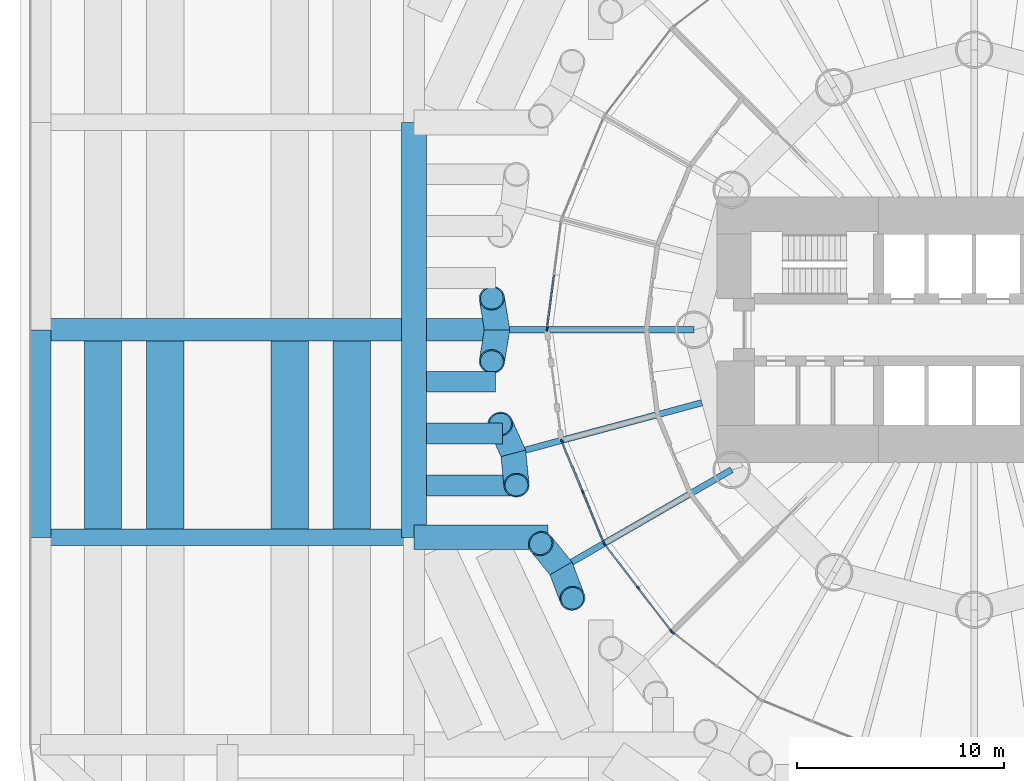
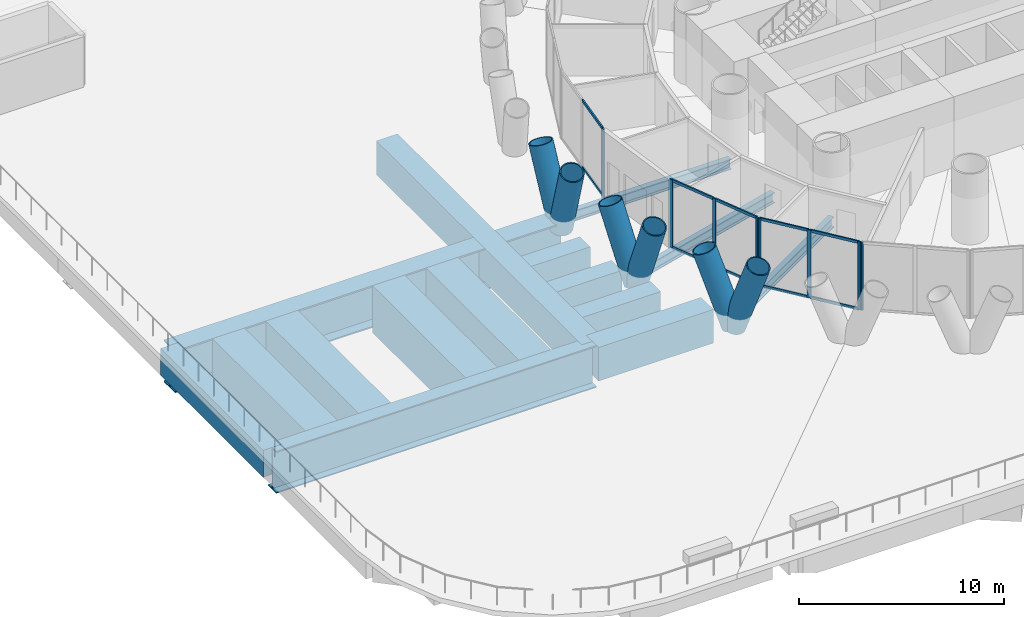
# One storey, part 2 of 19: 24 members, 15 beams, 4 elements without a shape of their own.
"""IFC4 building model written with IfcOpenShell, lengths in metres."""

from ifc_helpers import new_model, si_unit, direction, frame, origin, origin_2d, place, context, subcontext, project, spatial, rectangle, hollow_circle, i_section, extrude, material, material_profile, profile_set, type_object, element, aggregate, save


model = new_model("IFC4")

# Units and contexts
model_context = context("Model", 3, precision=1e-05, world=origin(), true_north=direction((0.0, 1.0)))
body_context = subcontext(model_context, "Body", "Model", "MODEL_VIEW")
ifc_project = project(units=[si_unit("LENGTHUNIT", "METRE"), si_unit("AREAUNIT", "SQUARE_METRE"), si_unit("VOLUMEUNIT", "CUBIC_METRE"), si_unit("PLANEANGLEUNIT", "RADIAN"), si_unit("MASSUNIT", "GRAM", prefix="KILO")], contexts=[model_context])

# Site, building, storey
site_placement = place(None, origin())
site = spatial("IfcSite", under=ifc_project, at=site_placement, CompositionType="ELEMENT")
building_placement = place(site_placement, origin())
building = spatial("IfcBuilding", under=site, at=building_placement, Name="Qaws Media Tower", CompositionType="ELEMENT")
storey_placement = place(building_placement, frame((0.0, 0.0, 26.0)))
storey = spatial("IfcBuildingStorey", under=building, at=storey_placement, Name="L04", CompositionType="ELEMENT", Elevation=26.0)

# Curtain wall, member
ifc_material_1 = material(Name="Aluminium and clear glass", Category="aluminium")
curtain_wall_type = type_object("IfcCurtainWallType", Name="Unitised curtain wall CW-A", PredefinedType="NOTDEFINED", material=ifc_material_1)
curtain_wall_1_placement = place(storey_placement, origin())
curtain_wall_1 = element("IfcCurtainWall", 1, at=curtain_wall_1_placement, inside=storey, type_object=curtain_wall_type, Name="CWA curtain wall L04-12", PredefinedType="NOTDEFINED")
ifc_material_2 = material(Name="Aluminium mullion", Category="aluminium")
ifc_material_profile_1 = material_profile(ifc_material_2, rectangle(XDim=0.080078125, YDim=0.199951171875, at=origin_2d()), Name="80x200")
ifc_profile_set_1 = profile_set([ifc_material_profile_1], Name="Aluminium mullion")
member_type_1 = type_object("IfcMemberType", Name="Curtain wall mullion 80x200", PredefinedType="MULLION", material=ifc_profile_set_1)
member_1_placement = place(storey_placement, frame((39.4052734375, 50.03955078125, 0.0), z_axis=(0.0, 0.0, 1.0), x_axis=(0.991444859813, -0.130526204073, 0.0)))
member_1 = element("IfcMember", 2, at=member_1_placement, type_object=member_type_1, Name="CWA mullion 3", PredefinedType="MULLION", context=body_context, shape_type="SweptSolid", body=[
    extrude(rectangle(XDim=0.080078125, YDim=0.199951171875, at=origin_2d()), origin(), (0.0, 0.0, 1.0), 4.0400390625),
])

# Curtain wall, members
curtain_wall_2_placement = place(storey_placement, origin())
curtain_wall_2 = element("IfcCurtainWall", 3, at=curtain_wall_2_placement, inside=storey, type_object=curtain_wall_type, Name="CWA curtain wall L04-14", PredefinedType="NOTDEFINED")
member_2_placement = place(storey_placement, frame((40.1171875, 44.63134765625, 0.0), z_axis=(0.0, 0.0, 1.0), x_axis=(0.923879521985, 0.382683457778, 0.0)))
member_2 = element("IfcMember", 4, at=member_2_placement, type_object=member_type_1, Name="CWA mullion 1", PredefinedType="MULLION", context=body_context, shape_type="SweptSolid", body=[
    extrude(rectangle(XDim=0.080078125, YDim=0.199951171875, at=origin_2d()), origin(), (0.0, 0.0, 1.0), 4.0400390625),
])
member_3_placement = place(storey_placement, frame((41.130859375, 42.18408203125, 0.0), z_axis=(0.0, 0.0, 1.0), x_axis=(0.923879521985, 0.382683457778, 0.0)))
member_3 = element("IfcMember", 5, at=member_3_placement, type_object=member_type_1, Name="CWA mullion 2", PredefinedType="MULLION", context=body_context, shape_type="SweptSolid", body=[
    extrude(rectangle(XDim=0.080078125, YDim=0.199951171875, at=origin_2d()), origin(), (0.0, 0.0, 1.0), 4.0400390625),
])
member_4_placement = place(storey_placement, frame((42.14453125, 39.737060546875, 0.0), z_axis=(0.0, 0.0, 1.0), x_axis=(0.923879521985, 0.382683457778, 0.0)))
member_4 = element("IfcMember", 6, at=member_4_placement, type_object=member_type_1, Name="CWA mullion 3", PredefinedType="MULLION", context=body_context, shape_type="SweptSolid", body=[
    extrude(rectangle(XDim=0.080078125, YDim=0.199951171875, at=origin_2d()), origin(), (0.0, 0.0, 1.0), 4.0400390625),
])

curtain_wall_3_placement = place(storey_placement, origin())
curtain_wall_3 = element("IfcCurtainWall", 7, at=curtain_wall_3_placement, inside=storey, type_object=curtain_wall_type, Name="CWA curtain wall L04-15", PredefinedType="NOTDEFINED")
member_5_placement = place(storey_placement, frame((42.184326171875, 39.668212890625, 0.0), z_axis=(0.0, 0.0, 1.0), x_axis=(0.793353417662, 0.608761328178, 0.0)))
member_5 = element("IfcMember", 8, at=member_5_placement, type_object=member_type_1, Name="CWA mullion 1", PredefinedType="MULLION", context=body_context, shape_type="SweptSolid", body=[
    extrude(rectangle(XDim=0.080078125, YDim=0.199951171875, at=origin_2d()), origin(), (0.0, 0.0, 1.0), 4.0400390625),
])
member_6_placement = place(storey_placement, frame((43.796630859375, 37.56689453125, 0.0), z_axis=(0.0, 0.0, 1.0), x_axis=(0.793353417662, 0.608761328178, 0.0)))
member_6 = element("IfcMember", 9, at=member_6_placement, type_object=member_type_1, Name="CWA mullion 2", PredefinedType="MULLION", context=body_context, shape_type="SweptSolid", body=[
    extrude(rectangle(XDim=0.080078125, YDim=0.199951171875, at=origin_2d()), origin(), (0.0, 0.0, 1.0), 4.0400390625),
])
member_7_placement = place(storey_placement, frame((45.4091796875, 35.46533203125, 0.0), z_axis=(0.0, 0.0, 1.0), x_axis=(0.793353417662, 0.608761328178, 0.0)))
member_7 = element("IfcMember", 10, at=member_7_placement, type_object=member_type_1, Name="CWA mullion 3", PredefinedType="MULLION", context=body_context, shape_type="SweptSolid", body=[
    extrude(rectangle(XDim=0.080078125, YDim=0.199951171875, at=origin_2d()), origin(), (0.0, 0.0, 1.0), 4.0400390625),
])

# Curtain wall, member
curtain_wall_4_placement = place(storey_placement, origin())
curtain_wall_4 = element("IfcCurtainWall", 11, at=curtain_wall_4_placement, inside=storey, type_object=curtain_wall_type, Name="CWA curtain wall L04-16", PredefinedType="NOTDEFINED")
member_8_placement = place(storey_placement, frame((45.46533203125, 35.4091796875, 0.0), z_axis=(0.0, 0.0, 1.0), x_axis=(0.608761328178, 0.793353417662, 0.0)))
member_8 = element("IfcMember", 12, at=member_8_placement, type_object=member_type_1, Name="CWA mullion 1", PredefinedType="MULLION", context=body_context, shape_type="SweptSolid", body=[
    extrude(rectangle(XDim=0.080078125, YDim=0.199951171875, at=origin_2d()), origin(), (0.0, 0.0, 1.0), 4.0400390625),
])
aggregate(curtain_wall_4, [member_8])

# Member
ifc_material_3 = material(Name="Aluminium transom", Category="aluminium")
ifc_material_profile_2 = material_profile(ifc_material_3, rectangle(XDim=0.080078125, YDim=0.159912109375, at=origin_2d()), Name="80x160")
ifc_profile_set_2 = profile_set([ifc_material_profile_2], Name="Aluminium transom")
member_type_2 = type_object("IfcMemberType", Name="Curtain wall transom 80x160", PredefinedType="USERDEFINED", material=ifc_profile_set_2)
member_9_placement = place(storey_placement, frame((39.745849609375, 52.626220703125, 0.0400390625), z_axis=(-0.130582350348, -0.991437466398, 0.0), x_axis=(0.991437466398, -0.130582350348, 0.0)))
member_9 = element("IfcMember", 13, at=member_9_placement, type_object=member_type_2, Name="CWA transom 2.1", ObjectType="TRANSOM", PredefinedType="USERDEFINED", context=body_context, shape_type="SweptSolid", body=[
    extrude(rectangle(XDim=0.080078125, YDim=0.159912109375, at=origin_2d()), origin(), (0.0, 0.0, 1.0), 2.56884765625),
])

member_10_placement = place(storey_placement, frame((39.745849609375, 52.626220703125, 4.0), z_axis=(-0.130582350348, -0.991437466398, 0.0), x_axis=(0.991437466398, -0.130582350348, 0.0)))
member_10 = element("IfcMember", 14, at=member_10_placement, type_object=member_type_2, Name="CWA transom 2.2", ObjectType="TRANSOM", PredefinedType="USERDEFINED", context=body_context, shape_type="SweptSolid", body=[
    extrude(rectangle(XDim=0.080078125, YDim=0.159912109375, at=origin_2d()), origin(), (0.0, 0.0, 1.0), 2.56884765625),
])

aggregate(curtain_wall_1, [member_1, member_9, member_10])

member_11_placement = place(storey_placement, frame((40.132568359375, 44.594482421875, 0.0400390625), z_axis=(0.382637188535, -0.923898685977, 0.0), x_axis=(0.923898685977, 0.382637188535, 0.0)))
member_11 = element("IfcMember", 15, at=member_11_placement, type_object=member_type_2, Name="CWA transom 1.1", ObjectType="TRANSOM", PredefinedType="USERDEFINED", context=body_context, shape_type="SweptSolid", body=[
    extrude(rectangle(XDim=0.080078125, YDim=0.159912109375, at=origin_2d()), origin(), (0.0, 0.0, 1.0), 2.56884765625),
])

member_12_placement = place(storey_placement, frame((40.132568359375, 44.594482421875, 4.0), z_axis=(0.382637188535, -0.923898685977, 0.0), x_axis=(0.923898685977, 0.382637188535, 0.0)))
member_12 = element("IfcMember", 16, at=member_12_placement, type_object=member_type_2, Name="CWA transom 1.2", ObjectType="TRANSOM", PredefinedType="USERDEFINED", context=body_context, shape_type="SweptSolid", body=[
    extrude(rectangle(XDim=0.080078125, YDim=0.159912109375, at=origin_2d()), origin(), (0.0, 0.0, 1.0), 2.56884765625),
])

member_13_placement = place(storey_placement, frame((41.146240234375, 42.147216796875, 0.0400390625), z_axis=(0.382637188535, -0.923898685977, 0.0), x_axis=(0.923898685977, 0.382637188535, 0.0)))
member_13 = element("IfcMember", 17, at=member_13_placement, type_object=member_type_2, Name="CWA transom 2.1", ObjectType="TRANSOM", PredefinedType="USERDEFINED", context=body_context, shape_type="SweptSolid", body=[
    extrude(rectangle(XDim=0.080078125, YDim=0.159912109375, at=origin_2d()), origin(), (0.0, 0.0, 1.0), 2.56884765625),
])

member_14_placement = place(storey_placement, frame((41.146240234375, 42.147216796875, 4.0), z_axis=(0.382637188535, -0.923898685977, 0.0), x_axis=(0.923898685977, 0.382637188535, 0.0)))
member_14 = element("IfcMember", 18, at=member_14_placement, type_object=member_type_2, Name="CWA transom 2.2", ObjectType="TRANSOM", PredefinedType="USERDEFINED", context=body_context, shape_type="SweptSolid", body=[
    extrude(rectangle(XDim=0.080078125, YDim=0.159912109375, at=origin_2d()), origin(), (0.0, 0.0, 1.0), 2.56884765625),
])

aggregate(curtain_wall_2, [member_2, member_3, member_4, member_11, member_12, member_13, member_14])

member_15_placement = place(storey_placement, frame((42.20849609375, 39.636474609375, 0.0400390625), z_axis=(0.608828522039, -0.793301853491, 0.0), x_axis=(0.793301853491, 0.608828522039, 0.0)))
member_15 = element("IfcMember", 19, at=member_15_placement, type_object=member_type_2, Name="CWA transom 1.1", ObjectType="TRANSOM", PredefinedType="USERDEFINED", context=body_context, shape_type="SweptSolid", body=[
    extrude(rectangle(XDim=0.080078125, YDim=0.159912109375, at=origin_2d()), origin(), (0.0, 0.0, 1.0), 2.56884765625),
])

member_16_placement = place(storey_placement, frame((42.20849609375, 39.636474609375, 4.0), z_axis=(0.608828522039, -0.793301853491, 0.0), x_axis=(0.793301853491, 0.608828522039, 0.0)))
member_16 = element("IfcMember", 20, at=member_16_placement, type_object=member_type_2, Name="CWA transom 1.2", ObjectType="TRANSOM", PredefinedType="USERDEFINED", context=body_context, shape_type="SweptSolid", body=[
    extrude(rectangle(XDim=0.080078125, YDim=0.159912109375, at=origin_2d()), origin(), (0.0, 0.0, 1.0), 2.56884765625),
])

member_17_placement = place(storey_placement, frame((43.821044921875, 37.53515625, 0.0400390625), z_axis=(0.608782621434, -0.793337078322, 0.0), x_axis=(0.793337078322, 0.608782621434, 0.0)))
member_17 = element("IfcMember", 21, at=member_17_placement, type_object=member_type_2, Name="CWA transom 2.1", ObjectType="TRANSOM", PredefinedType="USERDEFINED", context=body_context, shape_type="SweptSolid", body=[
    extrude(rectangle(XDim=0.080078125, YDim=0.159912109375, at=origin_2d()), origin(), (0.0, 0.0, 1.0), 2.569091796875),
])

member_18_placement = place(storey_placement, frame((43.821044921875, 37.53515625, 4.0), z_axis=(0.608782621434, -0.793337078322, 0.0), x_axis=(0.793337078322, 0.608782621434, 0.0)))
member_18 = element("IfcMember", 22, at=member_18_placement, type_object=member_type_2, Name="CWA transom 2.2", ObjectType="TRANSOM", PredefinedType="USERDEFINED", context=body_context, shape_type="SweptSolid", body=[
    extrude(rectangle(XDim=0.080078125, YDim=0.159912109375, at=origin_2d()), origin(), (0.0, 0.0, 1.0), 2.569091796875),
])

aggregate(curtain_wall_3, [member_5, member_6, member_7, member_15, member_16, member_17, member_18])

# Members
ifc_material_4 = material(Name="Steel S460", Category="steel")
ifc_material_profile_3 = material_profile(ifc_material_4, hollow_circle(Radius=0.609619140625, WallThickness=0.06005859375, at=origin_2d()), Name="CHS 1219x60")
ifc_profile_set_3 = profile_set([ifc_material_profile_3], Name="Steel S460")
member_type_3 = type_object("IfcMemberType", Name="Diagrid member CHS 1219x60", PredefinedType="USERDEFINED", material=ifc_profile_set_3)
for number, where, z_axis, x_axis, name in (
    (23, (37.0, 50.0, -0.909912109375), (-0.055867575283, -0.340552153241, 0.938564353124), (0.986809454088, -0.161886075134, 0.0), "DG1 diagrid L04 A13"),
    (24, (37.0, 50.0, -0.909912109375), (-0.055867575283, 0.340552153241, 0.938564353124), (-0.986809454088, -0.161886075134, 0.0), "DG1 diagrid L04 B13"),
    (25, (37.78369140625, 44.047119140625, -0.909912109375), (0.034153665458, -0.343391645998, 0.938571097251), (0.99509027013, 0.098971482221, 0.0), "DG1 diagrid L04 A14"),
    (26, (37.78369140625, 44.047119140625, -0.909912109375), (-0.142124356415, 0.314474007821, 0.938566335279), (-0.911257699186, -0.411836624979, 0.0), "DG1 diagrid L04 B14"),
    (27, (40.081298828125, 38.5, -0.909912109375), (0.121882547389, -0.322874178804, 0.938561084482), (0.935560331007, 0.353166911029, 0.0), "DG1 diagrid L04 A15"),
    (28, (40.081298828125, 38.5, -0.909912109375), (-0.218671012683, 0.266955405454, 0.93857221337), (-0.77359792083, -0.633676776351, 0.0), "DG1 diagrid L04 B15"),
):
    element("IfcMember", number, at=place(storey_placement, frame(where, z_axis=z_axis, x_axis=x_axis)), inside=storey, type_object=member_type_3, Name=name, ObjectType="DIAGRID", PredefinedType="USERDEFINED", context=body_context, shape_type="SweptSolid", body=[
        extrude(hollow_circle(Radius=0.609619140625, WallThickness=0.06005859375, at=origin_2d()), origin(), (0.0, 0.0, 1.0), 4.474853515625),
    ])

# Beams
ifc_material_5 = material(Name="Concrete C60/75", Category="concrete")
ifc_material_profile_4 = material_profile(ifc_material_5, rectangle(XDim=1.199951171875, YDim=2.0, at=origin_2d()), Name="RC 1200x2000")
ifc_profile_set_4 = profile_set([ifc_material_profile_4], Name="Concrete C60/75")
beam_type_1 = type_object("IfcBeamType", Name="Podium long trimmer beam RC 1200x2000", PredefinedType="BEAM", material=ifc_profile_set_4)
beam_1_placement = place(storey_placement, frame((33.0, 40.0, -1.300048828125), z_axis=(0.0, 1.0, 0.0), x_axis=(-1.0, 0.0, 0.0)))
element("IfcBeam", 29, at=beam_1_placement, inside=storey, type_object=beam_type_1, Name="PB11 beam 3/C-3/E", PredefinedType="BEAM", context=body_context, shape_type="SweptSolid", body=[
    extrude(rectangle(XDim=1.199951171875, YDim=2.0, at=origin_2d()), origin(), (0.0, 0.0, 1.0), 20.0),
])
ifc_material_6 = material(Name="Concrete C60/75", Category="concrete")
ifc_material_profile_5 = material_profile(ifc_material_6, rectangle(XDim=1.0, YDim=1.60009765625, at=origin_2d()), Name="RC 1000x1600")
ifc_profile_set_5 = profile_set([ifc_material_profile_5], Name="Concrete C60/75")
beam_type_2 = type_object("IfcBeamType", Name="Podium roof girder RC 1000x1600", PredefinedType="BEAM", material=ifc_profile_set_5)
beam_2_placement = place(storey_placement, frame((15.0, 40.0, -1.10009765625), z_axis=(0.0, 1.0, 0.0), x_axis=(-1.0, 0.0, 0.0)))
element("IfcBeam", 30, at=beam_2_placement, inside=storey, type_object=beam_type_2, Name="PB10 beam 1/C-D", PredefinedType="BEAM", context=body_context, shape_type="SweptSolid", body=[
    extrude(rectangle(XDim=1.0, YDim=1.60009765625, at=origin_2d()), origin(), (0.0, 0.0, 1.0), 10.0),
])
ifc_material_7 = material(Name="Concrete C60/75", Category="concrete")
ifc_material_profile_6 = material_profile(ifc_material_7, rectangle(XDim=1.0, YDim=1.60009765625, at=origin_2d()), Name="RC 1000x1600")
ifc_profile_set_6 = profile_set([ifc_material_profile_6], Name="Concrete C60/75")
beam_type_3 = type_object("IfcBeamType", Name="Podium roof ring secondary beam RC 1000x1600", PredefinedType="BEAM", material=ifc_profile_set_6)
beam_3_placement = place(storey_placement, frame((33.60009765625, 42.5, -1.10009765625), z_axis=(1.0, 0.0, 0.0), x_axis=(0.0, 1.0, 0.0)))
element("IfcBeam", 31, at=beam_3_placement, inside=storey, type_object=beam_type_3, Name="PB13 beam bay 3C line 1", PredefinedType="BEAM", context=body_context, shape_type="SweptSolid", body=[
    extrude(rectangle(XDim=1.0, YDim=1.60009765625, at=origin_2d()), origin(), (0.0, 0.0, 1.0), 4.3916015625),
])
beam_4_placement = place(storey_placement, frame((33.60009765625, 45.0, -1.10009765625), z_axis=(1.0, 0.0, 0.0), x_axis=(0.0, 1.0, 0.0)))
element("IfcBeam", 32, at=beam_4_placement, inside=storey, type_object=beam_type_3, Name="PB13 beam bay 3C line 2", PredefinedType="BEAM", context=body_context, shape_type="SweptSolid", body=[
    extrude(rectangle(XDim=1.0, YDim=1.60009765625, at=origin_2d()), origin(), (0.0, 0.0, 1.0), 3.65478515625),
])
beam_5_placement = place(storey_placement, frame((33.60009765625, 47.5, -1.10009765625), z_axis=(1.0, 0.0, 0.0), x_axis=(0.0, 1.0, 0.0)))
element("IfcBeam", 33, at=beam_5_placement, inside=storey, type_object=beam_type_3, Name="PB13 beam bay 3C line 3", PredefinedType="BEAM", context=body_context, shape_type="SweptSolid", body=[
    extrude(rectangle(XDim=1.0, YDim=1.60009765625, at=origin_2d()), origin(), (0.0, 0.0, 1.0), 3.32568359375),
])
ifc_material_8 = material(Name="Concrete C60/75", Category="concrete")
ifc_material_profile_7 = material_profile(ifc_material_8, rectangle(XDim=1.800048828125, YDim=2.800048828125, at=origin_2d()), Name="RC 1800x2800")
ifc_profile_set_7 = profile_set([ifc_material_profile_7], Name="Concrete C60/75")
beam_type_4 = type_object("IfcBeamType", Name="Podium roof secondary beam RC 1800x2800", PredefinedType="BEAM", material=ifc_profile_set_7)
for number, where, z_axis, x_axis, name in (
    (34, (21.0, 40.39990234375, -1.699951171875), (0.0, 1.0, 0.0), (-1.0, 0.0, 0.0), "PB8 beam bay 1C line 1"),
    (35, (18.0, 40.39990234375, -1.699951171875), (0.0, 1.0, 0.0), (-1.0, 0.0, 0.0), "PB8 beam bay 1C line 2"),
    (36, (30.0, 40.39990234375, -1.699951171875), (0.0, 1.0, 0.0), (-1.0, 0.0, 0.0), "PB8 beam bay 2C line 1"),
    (37, (27.0, 40.39990234375, -1.699951171875), (0.0, 1.0, 0.0), (-1.0, 0.0, 0.0), "PB8 beam bay 2C line 2"),
):
    element("IfcBeam", number, at=place(storey_placement, frame(where, z_axis=z_axis, x_axis=x_axis)), inside=storey, type_object=beam_type_4, Name=name, PredefinedType="BEAM", context=body_context, shape_type="SweptSolid", body=[
        extrude(rectangle(XDim=1.800048828125, YDim=2.800048828125, at=origin_2d()), origin(), (0.0, 0.0, 1.0), 9.050048828125),
    ])
ifc_material_9 = material(Name="Concrete C60/75", Category="concrete")
ifc_material_profile_8 = material_profile(ifc_material_9, rectangle(XDim=1.199951171875, YDim=2.0, at=origin_2d()), Name="RC 1200x2000")
ifc_profile_set_8 = profile_set([ifc_material_profile_8], Name="Concrete C60/75")
beam_type_5 = type_object("IfcBeamType", Name="Podium trimmer beam RC 1200x2000", PredefinedType="BEAM", material=ifc_profile_set_8)
beam_6_placement = place(storey_placement, frame((33.0, 40.0, -1.300048828125), z_axis=(1.0, 0.0, 0.0), x_axis=(0.0, 1.0, 0.0)))
element("IfcBeam", 38, at=beam_6_placement, inside=storey, type_object=beam_type_5, Name="PB4 beam 3/C to the tower ring", PredefinedType="BEAM", context=body_context, shape_type="SweptSolid", body=[
    extrude(rectangle(XDim=1.199951171875, YDim=2.0, at=origin_2d()), origin(), (0.0, 0.0, 1.0), 6.460205078125),
])
ifc_material_10 = material(Name="Steel S355", Category="steel")
ifc_material_profile_9 = material_profile(ifc_material_10, i_section(OverallWidth=0.304931640625, OverallDepth=0.6201171875, WebThickness=0.02099609375, FlangeThickness=0.0400390625, FilletRadius=0.027099609375, at=origin_2d()), Name="HE 600 M")
ifc_profile_set_9 = profile_set([ifc_material_profile_9], Name="Steel S355")
beam_type_6 = type_object("IfcBeamType", Name="Radial beam HE 600 M", PredefinedType="BEAM", material=ifc_profile_set_9)
beam_7_placement = place(storey_placement, frame((46.5, 50.0, -0.469970703125), z_axis=(-1.0, 0.0, 0.0), x_axis=(0.0, -1.0, 0.0)))
element("IfcBeam", 39, at=beam_7_placement, inside=storey, type_object=beam_type_6, Name="B1 radial beam L04 13", PredefinedType="BEAM", context=body_context, shape_type="SweptSolid", body=[
    extrude(i_section(OverallWidth=0.304931640625, OverallDepth=0.6201171875, WebThickness=0.02099609375, FlangeThickness=0.0400390625, FilletRadius=0.027099609375, at=origin_2d()), origin(), (0.0, 0.0, 1.0), 9.5),
])
beam_8_placement = place(storey_placement, frame((46.873046875, 46.482666015625, -0.469970703125), z_axis=(-0.965924194565, -0.258825134703, 0.0), x_axis=(0.258825134703, -0.965924194565, 0.0)))
element("IfcBeam", 40, at=beam_8_placement, inside=storey, type_object=beam_type_6, Name="B1 radial beam L04 14", PredefinedType="BEAM", context=body_context, shape_type="SweptSolid", body=[
    extrude(i_section(OverallWidth=0.304931640625, OverallDepth=0.6201171875, WebThickness=0.02099609375, FlangeThickness=0.0400390625, FilletRadius=0.027099609375, at=origin_2d()), origin(), (0.0, 0.0, 1.0), 9.409912109375),
])
beam_9_placement = place(storey_placement, frame((48.30859375, 43.25, -0.469970703125), z_axis=(-0.86602681393, -0.499997557548, 0.0), x_axis=(0.499997557548, -0.86602681393, 0.0)))
element("IfcBeam", 41, at=beam_9_placement, inside=storey, type_object=beam_type_6, Name="B1 radial beam L04 15", PredefinedType="BEAM", context=body_context, shape_type="SweptSolid", body=[
    extrude(i_section(OverallWidth=0.304931640625, OverallDepth=0.6201171875, WebThickness=0.02099609375, FlangeThickness=0.0400390625, FilletRadius=0.027099609375, at=origin_2d()), origin(), (0.0, 0.0, 1.0), 9.5),
])
ifc_material_11 = material(Name="Steel S355", Category="steel")
ifc_material_profile_10 = material_profile(ifc_material_11, i_section(OverallWidth=1.10009765625, OverallDepth=2.5, WebThickness=0.031982421875, FlangeThickness=0.080078125, at=origin_2d()), Name="PG 2500x1100")
ifc_profile_set_10 = profile_set([ifc_material_profile_10], Name="Steel S355")
beam_type_7 = type_object("IfcBeamType", Name="Studio girder PG 2500x1100", PredefinedType="BEAM", material=ifc_profile_set_10)
beam_10_placement = place(storey_placement, frame((15.0, 50.0, -1.550048828125), z_axis=(1.0, 0.0, 0.0), x_axis=(0.0, 1.0, 0.0)))
element("IfcBeam", 42, at=beam_10_placement, inside=storey, type_object=beam_type_7, Name="SG2 studio A girder on grid D", PredefinedType="BEAM", context=body_context, shape_type="SweptSolid", body=[
    extrude(i_section(OverallWidth=1.10009765625, OverallDepth=2.5, WebThickness=0.031982421875, FlangeThickness=0.080078125, at=origin_2d()), origin(), (0.0, 0.0, 1.0), 22.0),
])
ifc_material_12 = material(Name="Steel S355", Category="steel")
ifc_material_profile_11 = material_profile(ifc_material_12, i_section(OverallWidth=0.800048828125, OverallDepth=2.5, WebThickness=0.030029296875, FlangeThickness=0.06494140625, at=origin_2d()), Name="PG 2500x800")
ifc_profile_set_11 = profile_set([ifc_material_profile_11], Name="Steel S355")
beam_type_8 = type_object("IfcBeamType", Name="Studio girder PG 2500x800", PredefinedType="BEAM", material=ifc_profile_set_11)
beam_11_placement = place(storey_placement, frame((15.0, 40.0, -1.550048828125), z_axis=(1.0, 0.0, 0.0), x_axis=(0.0, 1.0, 0.0)))
element("IfcBeam", 43, at=beam_11_placement, inside=storey, type_object=beam_type_8, Name="SG1 studio A girder on grid C", PredefinedType="BEAM", context=body_context, shape_type="SweptSolid", body=[
    extrude(i_section(OverallWidth=0.800048828125, OverallDepth=2.5, WebThickness=0.030029296875, FlangeThickness=0.06494140625, at=origin_2d()), origin(), (0.0, 0.0, 1.0), 18.0),
])

save(model, "model.ifc")
